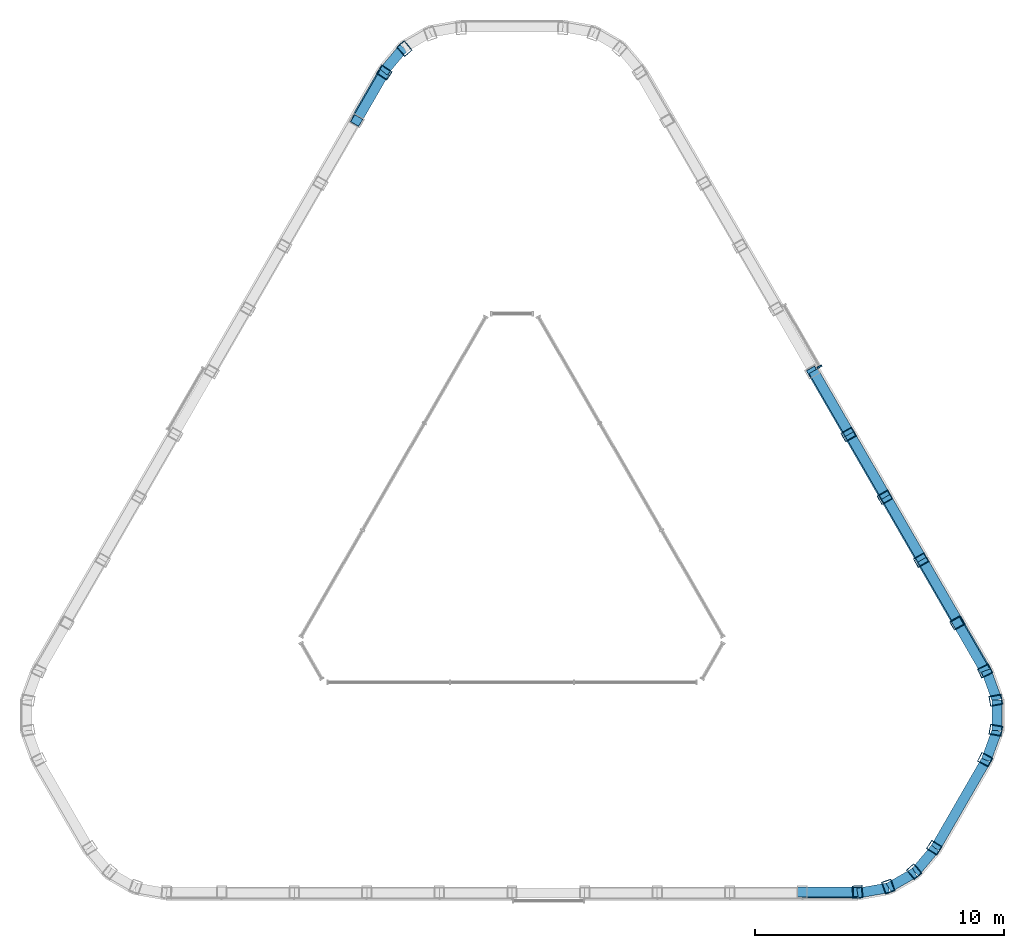
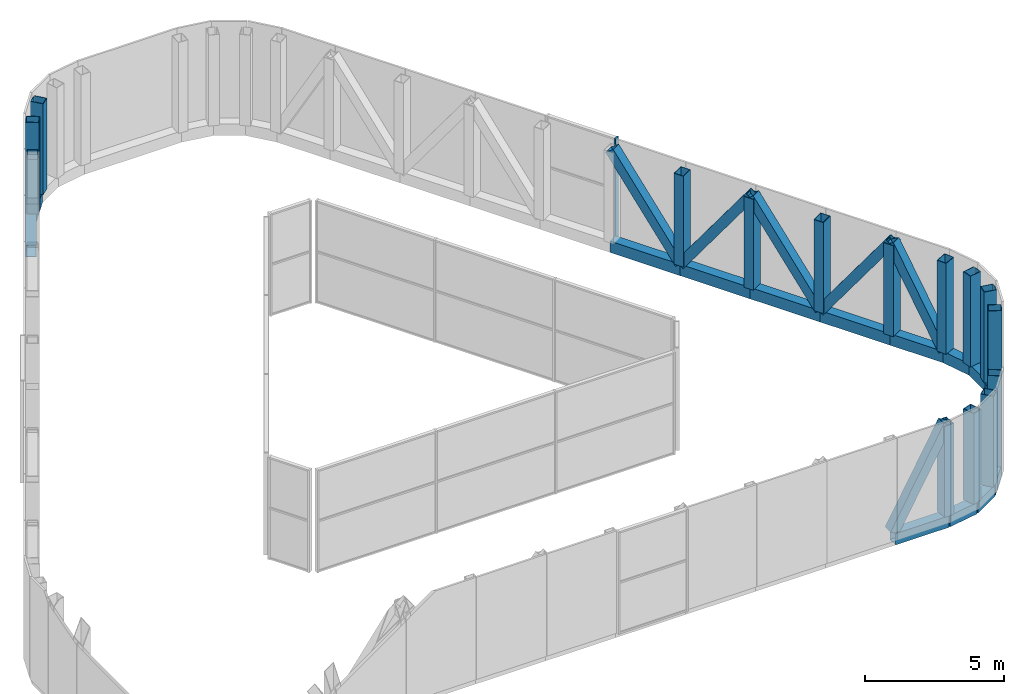
# One storey, part 3 of 5: 37 members, 1 element without a shape of its own.
"""IFC4 building model written with IfcOpenShell, lengths in metres."""

from ifc_helpers import new_model, si_unit, direction, frame, origin, origin_2d, place, context, subcontext, project, spatial, rectangle, hollow_rectangle, extrude, material, layer, layer_set, material_profile, profile_set, type_object, element, aggregate, save


model = new_model("IFC4")

# Units and contexts
model_context = context("Model", 3, precision=1e-05, world=origin(), true_north=direction((0.0, 1.0)))
body_context = subcontext(model_context, "Body", "Model", "MODEL_VIEW")
ifc_project = project(units=[si_unit("LENGTHUNIT", "METRE"), si_unit("AREAUNIT", "SQUARE_METRE"), si_unit("VOLUMEUNIT", "CUBIC_METRE"), si_unit("PLANEANGLEUNIT", "RADIAN"), si_unit("MASSUNIT", "GRAM", prefix="KILO")], contexts=[model_context])

# Site, building, storey
site_placement = place(None, origin())
site = spatial("IfcSite", under=ifc_project, at=site_placement, CompositionType="ELEMENT")
building_placement = place(site_placement, origin())
building = spatial("IfcBuilding", under=site, at=building_placement, Name="Apuvela Tower Hotel", CompositionType="ELEMENT")
storey_placement = place(building_placement, frame((0.0, 0.0, 353.300048828125)))
storey = spatial("IfcBuildingStorey", under=building, at=storey_placement, Name="R-3 ROOF", CompositionType="ELEMENT", Elevation=353.300048828125)

# Members
ifc_material_1 = material(Name="Steel S355, black paint system", Category="steel")
ifc_material_profile_1 = material_profile(ifc_material_1, hollow_rectangle(XDim=0.39990234375, YDim=0.39990234375, WallThickness=0.01611328125, at=origin_2d()), Name="HSS 400x400x16")
ifc_profile_set_1 = profile_set([ifc_material_profile_1], Name="Steel S355, black paint system")
member_type_1 = type_object("IfcMemberType", Name="ENV-CROWN-BRACE-400x400", PredefinedType="BRACE", material=ifc_profile_set_1)
member_1_placement = place(storey_placement, frame((-5.124755859375, 18.975830078125, 0.25), z_axis=(-0.242948815269, -0.420705831623, 0.874060911148), x_axis=(0.865977099567, -0.500083656027, 0.0)))
element("IfcMember", 1, at=member_1_placement, inside=storey, type_object=member_type_1, Name="Crown frame brace 7", PredefinedType="BRACE", context=body_context, shape_type="SweptSolid", body=[
    extrude(hollow_rectangle(XDim=0.39990234375, YDim=0.39990234375, WallThickness=0.01611328125, at=origin_2d()), origin(), (0.0, 0.0, 1.0), 4.576416015625),
])
member_2_placement = place(storey_placement, frame((11.64794921875, -13.92626953125, 0.25), z_axis=(0.485796931429, 0.0, 0.874071702673), x_axis=(0.0, 1.0, 0.0)))
element("IfcMember", 2, at=member_2_placement, inside=storey, type_object=member_type_1, Name="Crown frame brace 33", PredefinedType="BRACE", context=body_context, shape_type="SweptSolid", body=[
    extrude(hollow_rectangle(XDim=0.39990234375, YDim=0.39990234375, WallThickness=0.01611328125, at=origin_2d()), origin(), (0.0, 0.0, 1.0), 4.576171875),
])
member_3_placement = place(storey_placement, frame((18.99609375, -5.0498046875, 0.25), z_axis=(-0.242893162774, 0.420755188842, 0.874052620006), x_axis=(-0.866052104262, -0.499953750565, 0.0)))
element("IfcMember", 3, at=member_3_placement, inside=storey, type_object=member_type_1, Name="Crown frame brace 41", PredefinedType="BRACE", context=body_context, shape_type="SweptSolid", body=[
    extrude(hollow_rectangle(XDim=0.39990234375, YDim=0.39990234375, WallThickness=0.01611328125, at=origin_2d()), origin(), (0.0, 0.0, 1.0), 4.576416015625),
])
for number, where, z_axis, x_axis, name in (
    (4, (16.428466796875, -0.602294921875, 0.25), (0.294284958722, -0.509718917438, 0.80844479606), (0.866026430432, 0.49999822179, 0.0), "Crown frame brace 42"),
    (5, (16.428466796875, -0.602294921875, 0.25), (-0.294292360305, 0.509682392621, 0.808465129315), (-0.866005469285, -0.500034525977, 0.0), "Crown frame brace 43"),
    (6, (13.516357421875, 4.441162109375, 0.25), (0.294292360305, -0.509682392621, 0.808465129315), (0.866005469285, 0.500034525977, 0.0), "Crown frame brace 44"),
    (7, (13.516357421875, 4.441162109375, 0.25), (-0.294284958722, 0.509718917438, 0.80844479606), (-0.866026430432, -0.49999822179, 0.0), "Crown frame brace 45"),
):
    element("IfcMember", number, at=place(storey_placement, frame(where, z_axis=z_axis, x_axis=x_axis)), inside=storey, type_object=member_type_1, Name=name, PredefinedType="BRACE", context=body_context, shape_type="SweptSolid", body=[
        extrude(hollow_rectangle(XDim=0.39990234375, YDim=0.39990234375, WallThickness=0.01611328125, at=origin_2d()), origin(), (0.0, 0.0, 1.0), 4.94775390625),
    ])
ifc_material_profile_2 = material_profile(ifc_material_1, hollow_rectangle(XDim=0.39990234375, YDim=0.5, WallThickness=0.02001953125, at=origin_2d()), Name="HSS 500x400x20")
ifc_profile_set_2 = profile_set([ifc_material_profile_2], Name="Steel S355, black paint system")
member_type_2 = type_object("IfcMemberType", Name="ENV-CROWN-POST-500x400", PredefinedType="POST", material=ifc_profile_set_2)
for number, where, z_axis, x_axis, name in (
    (8, (-4.318115234375, 19.9375, 0.25), (0.0, 0.0, 1.0), (-0.763579690807, -0.645713601984, 0.0), "Crown frame post 6"),
    (9, (-5.124755859375, 18.975830078125, 0.25), (0.0, 0.0, 1.0), (-0.553467140498, -0.832871013056, 0.0), "Crown frame post 7"),
    (10, (13.87109375, -13.92626953125, 0.25), (0.0, 0.0, 1.0), (0.998021025631, 0.062881097303, 0.0), "Crown frame post 34"),
    (11, (15.107421875, -13.708251953125, 0.25), (0.0, 0.0, 1.0), (0.940994228291, 0.33842260906, 0.0), "Crown frame post 35"),
    (12, (16.148193359375, -13.107421875, 0.25), (0.0, 0.0, 1.0), (0.763579690807, 0.645713601984, 0.0), "Crown frame post 36"),
    (13, (16.955078125, -12.145751953125, 0.25), (0.0, 0.0, 1.0), (0.535045541825, 0.844823217113, 0.0), "Crown frame post 37"),
    (14, (18.99609375, -8.610595703125, 0.25), (0.0, 0.0, 1.0), (0.464115596815, 0.885774639958, 0.0), "Crown frame post 38"),
    (15, (19.42529296875, -7.43115234375, 0.25), (0.0, 0.0, 1.0), (0.177414537484, 0.984136211045, 0.0), "Crown frame post 39"),
    (16, (19.42529296875, -6.229248046875, 0.25), (0.0, 0.0, 1.0), (-0.177414537484, 0.984136211045, 0.0), "Crown frame post 40"),
    (17, (18.99609375, -5.0498046875, 0.25), (0.0, 0.0, 1.0), (-0.444553885133, 0.895752110359, 0.0), "Crown frame post 41"),
    (18, (17.884521484375, -3.124267578125, 0.25), (0.0, 0.0, 1.0), (-0.5, 0.866025403784, 0.0), "Crown frame post 42"),
    (19, (16.428466796875, -0.602294921875, 0.25), (0.0, 0.0, 1.0), (-0.5, 0.866025403784, 0.0), "Crown frame post 43"),
    (20, (14.972412109375, 1.91943359375, 0.25), (0.0, 0.0, 1.0), (-0.5, 0.866025403784, 0.0), "Crown frame post 44"),
    (21, (13.516357421875, 4.441162109375, 0.25), (0.0, 0.0, 1.0), (-0.5, 0.866025403784, 0.0), "Crown frame post 45"),
):
    element("IfcMember", number, at=place(storey_placement, frame(where, z_axis=z_axis, x_axis=x_axis)), inside=storey, type_object=member_type_2, Name=name, PredefinedType="POST", context=body_context, shape_type="SweptSolid", body=[
        extrude(hollow_rectangle(XDim=0.39990234375, YDim=0.5, WallThickness=0.02001953125, at=origin_2d()), origin(), (0.0, 0.0, 1.0), 4.0),
    ])
ifc_material_profile_3 = material_profile(ifc_material_1, hollow_rectangle(XDim=0.39990234375, YDim=0.5, WallThickness=0.01611328125, at=origin_2d()), Name="HSS 500x400x16")
ifc_profile_set_3 = profile_set([ifc_material_profile_3], Name="Steel S355, black paint system")
member_type_3 = type_object("IfcMemberType", Name="ENV-CROWN-RING-500x400", PredefinedType="STRINGER", material=ifc_profile_set_3)
member_4_placement = place(storey_placement, frame((-4.3505859375, 19.976318359375, 0.0), z_axis=(-0.642830918567, -0.766008100567, 0.0), x_axis=(0.766008100567, -0.642830918567, 0.0)))
element("IfcMember", 22, at=member_4_placement, inside=storey, type_object=member_type_3, Name="Crown frame ring beam 3.6", PredefinedType="STRINGER", context=body_context, shape_type="SweptSolid", body=[
    extrude(hollow_rectangle(XDim=0.39990234375, YDim=0.5, WallThickness=0.01611328125, at=origin_2d()), origin(), (0.0, 0.0, 1.0), 1.2685546875),
])
for number, where, z_axis, x_axis, name in (
    (23, (-5.166015625, 19.004638671875, 0.0), (-0.499941024108, -0.866059450854, 0.0), (0.866059450854, -0.499941024108, 0.0), "Crown frame ring beam 3.7"),
    (24, (11.651611328125, -13.976318359375, 0.0), (1.0, 0.0, 0.0), (0.0, 1.0, 0.0), "Crown frame ring beam 3.33"),
):
    element("IfcMember", number, at=place(storey_placement, frame(where, z_axis=z_axis, x_axis=x_axis)), inside=storey, type_object=member_type_3, Name=name, PredefinedType="STRINGER", context=body_context, shape_type="SweptSolid", body=[
        extrude(hollow_rectangle(XDim=0.39990234375, YDim=0.5, WallThickness=0.01611328125, at=origin_2d()), origin(), (0.0, 0.0, 1.0), 2.223876953125),
    ])
member_5_placement = place(storey_placement, frame((13.87548828125, -13.976318359375, 0.0), z_axis=(0.984783558818, 0.173785333909, 0.0), x_axis=(-0.173785333909, 0.984783558818, 0.0)))
element("IfcMember", 25, at=member_5_placement, inside=storey, type_object=member_type_3, Name="Crown frame ring beam 3.34", PredefinedType="STRINGER", context=body_context, shape_type="SweptSolid", body=[
    extrude(hollow_rectangle(XDim=0.39990234375, YDim=0.5, WallThickness=0.01611328125, at=origin_2d()), origin(), (0.0, 0.0, 1.0), 1.2685546875),
])
member_6_placement = place(storey_placement, frame((15.124755859375, -13.755859375, 0.0), z_axis=(0.866078909804, 0.499907313403, 0.0), x_axis=(-0.499907313403, 0.866078909804, 0.0)))
element("IfcMember", 26, at=member_6_placement, inside=storey, type_object=member_type_3, Name="Crown frame ring beam 3.35", PredefinedType="STRINGER", context=body_context, shape_type="SweptSolid", body=[
    extrude(hollow_rectangle(XDim=0.39990234375, YDim=0.5, WallThickness=0.01611328125, at=origin_2d()), origin(), (0.0, 0.0, 1.0), 1.219482421875),
])
member_7_placement = place(storey_placement, frame((16.180908203125, -13.146240234375, 0.0), z_axis=(0.642717965607, 0.766102876046, 0.0), x_axis=(-0.766102876046, 0.642717965607, 0.0)))
element("IfcMember", 27, at=member_7_placement, inside=storey, type_object=member_type_3, Name="Crown frame ring beam 3.36", PredefinedType="STRINGER", context=body_context, shape_type="SweptSolid", body=[
    extrude(hollow_rectangle(XDim=0.39990234375, YDim=0.5, WallThickness=0.01611328125, at=origin_2d()), origin(), (0.0, 0.0, 1.0), 1.268310546875),
])
member_8_placement = place(storey_placement, frame((16.99609375, -12.174560546875, 0.0), z_axis=(0.500003144135, 0.86602358851, 0.0), x_axis=(-0.86602358851, 0.500003144135, 0.0)))
element("IfcMember", 28, at=member_8_placement, inside=storey, type_object=member_type_3, Name="Crown frame ring beam 3.37", PredefinedType="STRINGER", context=body_context, shape_type="SweptSolid", body=[
    extrude(hollow_rectangle(XDim=0.39990234375, YDim=0.5, WallThickness=0.01611328125, at=origin_2d()), origin(), (0.0, 0.0, 1.0), 4.0908203125),
])
member_9_placement = place(storey_placement, frame((19.04150390625, -8.6318359375, 0.0), z_axis=(0.34203668354, 0.939686600475, 0.0), x_axis=(-0.939686600475, 0.34203668354, 0.0)))
element("IfcMember", 29, at=member_9_placement, inside=storey, type_object=member_type_3, Name="Crown frame ring beam 3.38", PredefinedType="STRINGER", context=body_context, shape_type="SweptSolid", body=[
    extrude(hollow_rectangle(XDim=0.39990234375, YDim=0.5, WallThickness=0.01611328125, at=origin_2d()), origin(), (0.0, 0.0, 1.0), 1.268310546875),
])
member_10_placement = place(storey_placement, frame((19.475341796875, -7.43994140625, 0.0), z_axis=(0.0, 1.0, 0.0), x_axis=(-1.0, 0.0, 0.0)))
element("IfcMember", 30, at=member_10_placement, inside=storey, type_object=member_type_3, Name="Crown frame ring beam 3.39", PredefinedType="STRINGER", context=body_context, shape_type="SweptSolid", body=[
    extrude(hollow_rectangle(XDim=0.39990234375, YDim=0.5, WallThickness=0.01611328125, at=origin_2d()), origin(), (0.0, 0.0, 1.0), 1.219482421875),
])
member_11_placement = place(storey_placement, frame((19.475341796875, -6.220458984375, 0.0), z_axis=(-0.34203668354, 0.939686600475, 0.0), x_axis=(-0.939686600475, -0.34203668354, 0.0)))
element("IfcMember", 31, at=member_11_placement, inside=storey, type_object=member_type_3, Name="Crown frame ring beam 3.40", PredefinedType="STRINGER", context=body_context, shape_type="SweptSolid", body=[
    extrude(hollow_rectangle(XDim=0.39990234375, YDim=0.5, WallThickness=0.01611328125, at=origin_2d()), origin(), (0.0, 0.0, 1.0), 1.268310546875),
])
member_12_placement = place(storey_placement, frame((19.04150390625, -5.028564453125, 0.0), z_axis=(-0.500023359282, 0.866011916877, 0.0), x_axis=(-0.866011916877, -0.500023359282, 0.0)))
element("IfcMember", 32, at=member_12_placement, inside=storey, type_object=member_type_3, Name="Crown frame ring beam 3.41", PredefinedType="STRINGER", context=body_context, shape_type="SweptSolid", body=[
    extrude(hollow_rectangle(XDim=0.39990234375, YDim=0.5, WallThickness=0.01611328125, at=origin_2d()), origin(), (0.0, 0.0, 1.0), 2.22412109375),
])
member_13_placement = place(storey_placement, frame((17.929443359375, -3.1025390625, 0.0), z_axis=(-0.499952204256, 0.866052996912, 0.0), x_axis=(-0.866052996912, -0.499952204256, 0.0)))
element("IfcMember", 33, at=member_13_placement, inside=storey, type_object=member_type_3, Name="Crown frame ring beam 3.42", PredefinedType="STRINGER", context=body_context, shape_type="SweptSolid", body=[
    extrude(hollow_rectangle(XDim=0.39990234375, YDim=0.5, WallThickness=0.01611328125, at=origin_2d()), origin(), (0.0, 0.0, 1.0), 2.912841796875),
])
member_14_placement = place(storey_placement, frame((16.47314453125, -0.579833984375, 0.0), z_axis=(-0.500015065024, 0.866016705814, 0.0), x_axis=(-0.866016705814, -0.500015065024, 0.0)))
element("IfcMember", 34, at=member_14_placement, inside=storey, type_object=member_type_3, Name="Crown frame ring beam 3.43", PredefinedType="STRINGER", context=body_context, shape_type="SweptSolid", body=[
    extrude(hollow_rectangle(XDim=0.39990234375, YDim=0.5, WallThickness=0.01611328125, at=origin_2d()), origin(), (0.0, 0.0, 1.0), 2.9130859375),
])
member_15_placement = place(storey_placement, frame((15.0166015625, 1.94287109375, 0.0), z_axis=(-0.499988496788, 0.866032045065, 0.0), x_axis=(-0.866032045065, -0.499988496788, 0.0)))
element("IfcMember", 35, at=member_15_placement, inside=storey, type_object=member_type_3, Name="Crown frame ring beam 3.44", PredefinedType="STRINGER", context=body_context, shape_type="SweptSolid", body=[
    extrude(hollow_rectangle(XDim=0.39990234375, YDim=0.5, WallThickness=0.01611328125, at=origin_2d()), origin(), (0.0, 0.0, 1.0), 2.91259765625),
])
member_16_placement = place(storey_placement, frame((13.560302734375, 4.46533203125, 0.0), z_axis=(-0.500015065024, 0.866016705814, 0.0), x_axis=(-0.866016705814, -0.500015065024, 0.0)))
element("IfcMember", 36, at=member_16_placement, inside=storey, type_object=member_type_3, Name="Crown frame ring beam 3.45", PredefinedType="STRINGER", context=body_context, shape_type="SweptSolid", body=[
    extrude(hollow_rectangle(XDim=0.39990234375, YDim=0.5, WallThickness=0.01611328125, at=origin_2d()), origin(), (0.0, 0.0, 1.0), 2.9130859375),
])

# Curtain wall, member
ifc_material_2 = material(Name="Aluminium 6063-T6, dark bronze anodised", Category="aluminium")
ifc_layer = layer(ifc_material_2, 0.199951171875)
ifc_layer_set = layer_set([ifc_layer], Name="ENV-CW-C")
curtain_wall_type = type_object("IfcCurtainWallType", Name="ENV-CW-C", PredefinedType="NOTDEFINED", material=ifc_layer_set)
curtain_wall_placement = place(storey_placement, origin())
curtain_wall = element("IfcCurtainWall", 37, at=curtain_wall_placement, inside=storey, type_object=curtain_wall_type, Name="Crown glazing 46 R-3 ROOF", PredefinedType="NOTDEFINED")
ifc_material_profile_4 = material_profile(ifc_material_2, rectangle(XDim=0.199951171875, YDim=0.06494140625, at=origin_2d()), Name="AL 65x200")
ifc_profile_set_4 = profile_set([ifc_material_profile_4], Name="Aluminium 6063-T6, dark bronze anodised")
member_type_4 = type_object("IfcMemberType", Name="ENV-MULLION-65x200", PredefinedType="MULLION", material=ifc_profile_set_4)
member_17_placement = place(storey_placement, frame((12.347412109375, 7.166259765625, 0.0), z_axis=(0.0, 0.0, 1.0), x_axis=(-0.866021760657, -0.500006310028, 0.0)))
member_17 = element("IfcMember", 38, at=member_17_placement, type_object=member_type_4, Name="CW-C mullion 1", PredefinedType="MULLION", context=body_context, shape_type="SweptSolid", body=[
    extrude(rectangle(XDim=0.199951171875, YDim=0.06494140625, at=origin_2d()), origin(), (0.0, 0.0, 1.0), 4.5),
])
aggregate(curtain_wall, [member_17])

save(model, "model.ifc")
